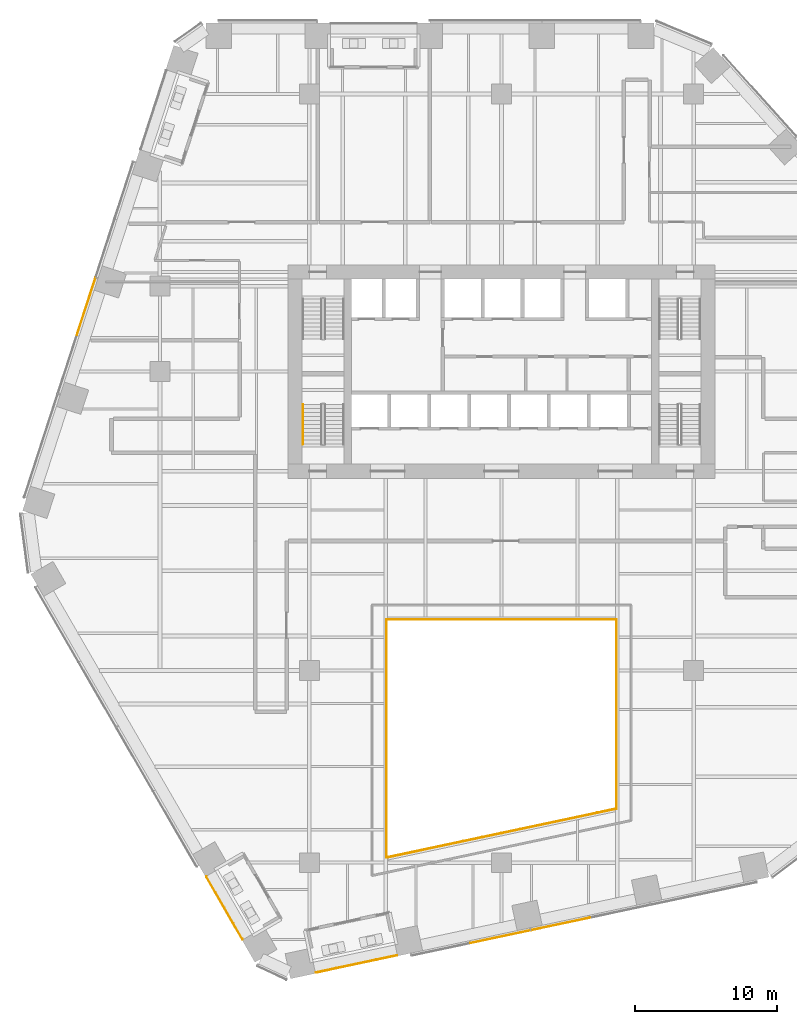
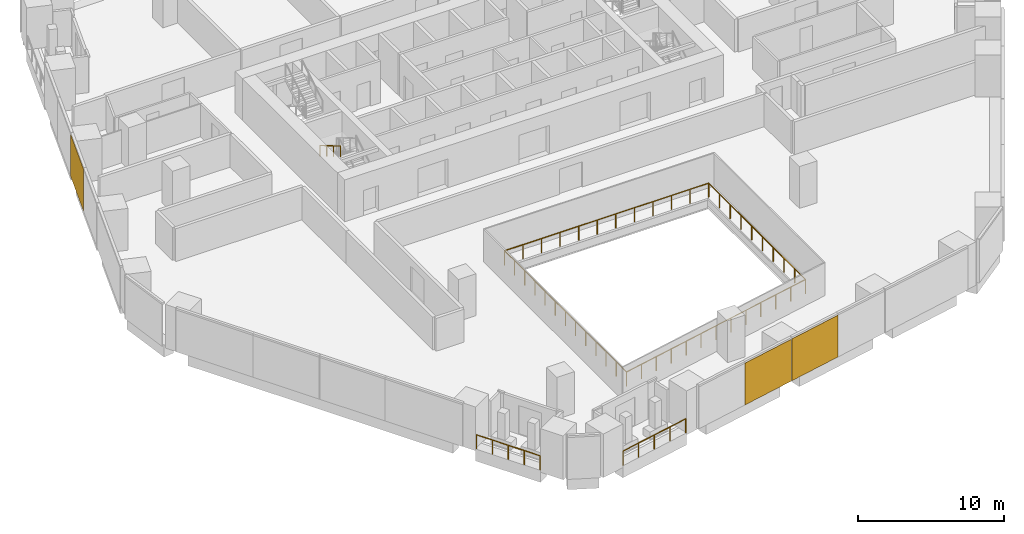
# One storey, part 24 of 28: 7 railings, 3 coverings, 2 elements without a shape of their own.
"""IFC4 building model written with IfcOpenShell, lengths in metres."""

from ifc_helpers import new_model, si_unit, direction, frame, origin, origin_2d, place, context, subcontext, project, spatial, rectangle, circle, extrude, material, layer, layer_set, type_object, element, aggregate, save


model = new_model("IFC4")

# Units and contexts
model_context = context("Model", 3, precision=1e-05, world=origin(), true_north=direction((0.0, 1.0)))
body_context = subcontext(model_context, "Body", "Model", "MODEL_VIEW")
ifc_project = project(units=[si_unit("LENGTHUNIT", "METRE"), si_unit("AREAUNIT", "SQUARE_METRE"), si_unit("VOLUMEUNIT", "CUBIC_METRE"), si_unit("PLANEANGLEUNIT", "RADIAN"), si_unit("MASSUNIT", "GRAM", prefix="KILO")], contexts=[model_context])

# Site, building, storey
site_placement = place(None, origin())
site = spatial("IfcSite", under=ifc_project, at=site_placement, CompositionType="ELEMENT")
building_placement = place(site_placement, origin())
building = spatial("IfcBuilding", under=site, at=building_placement, Name="Isthmus Gate Tower", CompositionType="ELEMENT")
storey_placement = place(building_placement, frame((0.0, 0.0, 68.85009765625)))
storey = spatial("IfcBuildingStorey", under=building, at=storey_placement, Name="L15", CompositionType="ELEMENT", Elevation=68.85009765625)

# Railings
ifc_material_1 = material(Name="Laminated toughened glass balustrade with steel rail", Category="steel")
railing_type_1 = type_object("IfcRailingType", Name="ATRIUM GUARD GLASS BALUSTRADE 1200", PredefinedType="GUARDRAIL", material=ifc_material_1)
railing_1_placement = place(storey_placement, frame((-8.080078125, -26.642822265625, 0.0)))
element("IfcRailing", 1, at=railing_1_placement, inside=storey, type_object=railing_type_1, Name="L15 atrium guard", PredefinedType="GUARDRAIL", context=body_context, shape_type="SweptSolid", body=[
    extrude(circle(Radius=0.02490234375, at=origin_2d()), frame((0.0, 0.0, 1.1748046875), z_axis=(0.0, 1.0, 0.0), x_axis=(-1.0, 0.0, 0.0)), (0.0, 0.0, 1.0), 16.722900390625),
    extrude(circle(Radius=0.02490234375, at=origin_2d()), origin(), (0.0, 0.0, 1.0), 1.14990234375),
    extrude(circle(Radius=0.02490234375, at=origin_2d()), frame((0.0, 1.3935546875, 0.0)), (0.0, 0.0, 1.0), 1.14990234375),
    extrude(circle(Radius=0.02490234375, at=origin_2d()), frame((0.0, 2.787109375, 0.0)), (0.0, 0.0, 1.0), 1.14990234375),
    extrude(circle(Radius=0.02490234375, at=origin_2d()), frame((0.0, 4.1806640625, 0.0)), (0.0, 0.0, 1.0), 1.14990234375),
    extrude(circle(Radius=0.02490234375, at=origin_2d()), frame((0.0, 5.57421875, 0.0)), (0.0, 0.0, 1.0), 1.14990234375),
    extrude(circle(Radius=0.02490234375, at=origin_2d()), frame((0.0, 6.9677734375, 0.0)), (0.0, 0.0, 1.0), 1.14990234375),
    extrude(circle(Radius=0.02490234375, at=origin_2d()), frame((0.0, 8.361328125, 0.0)), (0.0, 0.0, 1.0), 1.14990234375),
    extrude(circle(Radius=0.02490234375, at=origin_2d()), frame((0.0, 9.755126953125, 0.0)), (0.0, 0.0, 1.0), 1.14990234375),
    extrude(circle(Radius=0.02490234375, at=origin_2d()), frame((0.0, 11.148681640625, 0.0)), (0.0, 0.0, 1.0), 1.14990234375),
    extrude(circle(Radius=0.02490234375, at=origin_2d()), frame((0.0, 12.542236328125, 0.0)), (0.0, 0.0, 1.0), 1.14990234375),
    extrude(circle(Radius=0.02490234375, at=origin_2d()), frame((0.0, 13.935791015625, 0.0)), (0.0, 0.0, 1.0), 1.14990234375),
    extrude(circle(Radius=0.02490234375, at=origin_2d()), frame((0.0, 15.329345703125, 0.0)), (0.0, 0.0, 1.0), 1.14990234375),
    extrude(circle(Radius=0.02490234375, at=origin_2d()), frame((0.0, 16.722900390625, 0.0)), (0.0, 0.0, 1.0), 1.14990234375),
])
railing_2_placement = place(storey_placement, frame((-8.080078125, -9.919921875, 0.0)))
element("IfcRailing", 2, at=railing_2_placement, inside=storey, type_object=railing_type_1, Name="L15 atrium guard", PredefinedType="GUARDRAIL", context=body_context, shape_type="SweptSolid", body=[
    extrude(circle(Radius=0.02490234375, at=origin_2d()), frame((0.0, 0.0, 1.1748046875), z_axis=(1.0, 0.0, 0.0), x_axis=(0.0, 1.0, 0.0)), (0.0, 0.0, 1.0), 16.16015625),
    extrude(circle(Radius=0.02490234375, at=origin_2d()), origin(), (0.0, 0.0, 1.0), 1.14990234375),
    extrude(circle(Radius=0.02490234375, at=origin_2d()), frame((1.468994140625, 0.0, 0.0)), (0.0, 0.0, 1.0), 1.14990234375),
    extrude(circle(Radius=0.02490234375, at=origin_2d()), frame((2.938232421875, 0.0, 0.0)), (0.0, 0.0, 1.0), 1.14990234375),
    extrude(circle(Radius=0.02490234375, at=origin_2d()), frame((4.4072265625, 0.0, 0.0)), (0.0, 0.0, 1.0), 1.14990234375),
    extrude(circle(Radius=0.02490234375, at=origin_2d()), frame((5.87646484375, 0.0, 0.0)), (0.0, 0.0, 1.0), 1.14990234375),
    extrude(circle(Radius=0.02490234375, at=origin_2d()), frame((7.345458984375, 0.0, 0.0)), (0.0, 0.0, 1.0), 1.14990234375),
    extrude(circle(Radius=0.02490234375, at=origin_2d()), frame((8.814697265625, 0.0, 0.0)), (0.0, 0.0, 1.0), 1.14990234375),
    extrude(circle(Radius=0.02490234375, at=origin_2d()), frame((10.28369140625, 0.0, 0.0)), (0.0, 0.0, 1.0), 1.14990234375),
    extrude(circle(Radius=0.02490234375, at=origin_2d()), frame((11.7529296875, 0.0, 0.0)), (0.0, 0.0, 1.0), 1.14990234375),
    extrude(circle(Radius=0.02490234375, at=origin_2d()), frame((13.221923828125, 0.0, 0.0)), (0.0, 0.0, 1.0), 1.14990234375),
    extrude(circle(Radius=0.02490234375, at=origin_2d()), frame((14.691162109375, 0.0, 0.0)), (0.0, 0.0, 1.0), 1.14990234375),
    extrude(circle(Radius=0.02490234375, at=origin_2d()), frame((16.16015625, 0.0, 0.0)), (0.0, 0.0, 1.0), 1.14990234375),
])
railing_3_placement = place(storey_placement, frame((8.080078125, -9.919921875, 0.0)))
element("IfcRailing", 3, at=railing_3_placement, inside=storey, type_object=railing_type_1, Name="L15 atrium guard", PredefinedType="GUARDRAIL", context=body_context, shape_type="SweptSolid", body=[
    extrude(circle(Radius=0.02490234375, at=origin_2d()), frame((0.0, 0.0, 1.1748046875), z_axis=(0.0, -1.0, 0.0), x_axis=(1.0, 0.0, 0.0)), (0.0, 0.0, 1.0), 13.2880859375),
    extrude(circle(Radius=0.02490234375, at=origin_2d()), origin(), (0.0, 0.0, 1.0), 1.14990234375),
    extrude(circle(Radius=0.02490234375, at=origin_2d()), frame((0.0, -1.4765625, 0.0)), (0.0, 0.0, 1.0), 1.14990234375),
    extrude(circle(Radius=0.02490234375, at=origin_2d()), frame((0.0, -2.952880859375, 0.0)), (0.0, 0.0, 1.0), 1.14990234375),
    extrude(circle(Radius=0.02490234375, at=origin_2d()), frame((0.0, -4.429443359375, 0.0)), (0.0, 0.0, 1.0), 1.14990234375),
    extrude(circle(Radius=0.02490234375, at=origin_2d()), frame((0.0, -5.90576171875, 0.0)), (0.0, 0.0, 1.0), 1.14990234375),
    extrude(circle(Radius=0.02490234375, at=origin_2d()), frame((0.0, -7.38232421875, 0.0)), (0.0, 0.0, 1.0), 1.14990234375),
    extrude(circle(Radius=0.02490234375, at=origin_2d()), frame((0.0, -8.858642578125, 0.0)), (0.0, 0.0, 1.0), 1.14990234375),
    extrude(circle(Radius=0.02490234375, at=origin_2d()), frame((0.0, -10.335205078125, 0.0)), (0.0, 0.0, 1.0), 1.14990234375),
    extrude(circle(Radius=0.02490234375, at=origin_2d()), frame((0.0, -11.8115234375, 0.0)), (0.0, 0.0, 1.0), 1.14990234375),
    extrude(circle(Radius=0.02490234375, at=origin_2d()), frame((0.0, -13.2880859375, 0.0)), (0.0, 0.0, 1.0), 1.14990234375),
])
railing_4_placement = place(storey_placement, frame((8.080078125, -23.2080078125, 0.0)))
element("IfcRailing", 4, at=railing_4_placement, inside=storey, type_object=railing_type_1, Name="L15 atrium guard", PredefinedType="GUARDRAIL", context=body_context, shape_type="SweptSolid", body=[
    extrude(circle(Radius=0.02490234375, at=origin_2d()), frame((0.0, 0.0, 1.1748046875), z_axis=(-0.978149235358, -0.207904000366, 0.0), x_axis=(0.207904000366, -0.978149235358, 0.0)), (0.0, 0.0, 1.0), 16.521240234375),
    extrude(circle(Radius=0.02490234375, at=origin_2d()), origin(), (0.0, 0.0, 1.0), 1.14990234375),
    extrude(circle(Radius=0.02490234375, at=origin_2d()), frame((-1.3466796875, -0.2861328125, 0.0)), (0.0, 0.0, 1.0), 1.14990234375),
    extrude(circle(Radius=0.02490234375, at=origin_2d()), frame((-2.693359375, -0.572509765625, 0.0)), (0.0, 0.0, 1.0), 1.14990234375),
    extrude(circle(Radius=0.02490234375, at=origin_2d()), frame((-4.0400390625, -0.858642578125, 0.0)), (0.0, 0.0, 1.0), 1.14990234375),
    extrude(circle(Radius=0.02490234375, at=origin_2d()), frame((-5.38671875, -1.14501953125, 0.0)), (0.0, 0.0, 1.0), 1.14990234375),
    extrude(circle(Radius=0.02490234375, at=origin_2d()), frame((-6.7333984375, -1.43115234375, 0.0)), (0.0, 0.0, 1.0), 1.14990234375),
    extrude(circle(Radius=0.02490234375, at=origin_2d()), frame((-8.080078125, -1.71728515625, 0.0)), (0.0, 0.0, 1.0), 1.14990234375),
    extrude(circle(Radius=0.02490234375, at=origin_2d()), frame((-9.4267578125, -2.003662109375, 0.0)), (0.0, 0.0, 1.0), 1.14990234375),
    extrude(circle(Radius=0.02490234375, at=origin_2d()), frame((-10.7734375, -2.289794921875, 0.0)), (0.0, 0.0, 1.0), 1.14990234375),
    extrude(circle(Radius=0.02490234375, at=origin_2d()), frame((-12.1201171875, -2.576171875, 0.0)), (0.0, 0.0, 1.0), 1.14990234375),
    extrude(circle(Radius=0.02490234375, at=origin_2d()), frame((-13.466796875, -2.8623046875, 0.0)), (0.0, 0.0, 1.0), 1.14990234375),
    extrude(circle(Radius=0.02490234375, at=origin_2d()), frame((-14.8134765625, -3.148681640625, 0.0)), (0.0, 0.0, 1.0), 1.14990234375),
    extrude(circle(Radius=0.02490234375, at=origin_2d()), frame((-16.16015625, -3.434814453125, 0.0)), (0.0, 0.0, 1.0), 1.14990234375),
])

# Curtain wall, covering
ifc_material_2 = material(Name="Aluminium, pale champagne anodised", Category="aluminium")
ifc_layer_1 = layer(ifc_material_2, 0.199951171875)
ifc_layer_set_1 = layer_set([ifc_layer_1], Name="CW-1 UNITISED CURTAIN WALL 200 DEEP")
curtain_wall_type = type_object("IfcCurtainWallType", Name="CW-1 UNITISED CURTAIN WALL 200 DEEP", PredefinedType="NOTDEFINED", material=ifc_layer_set_1)
curtain_wall_1_placement = place(storey_placement, origin())
curtain_wall_1 = element("IfcCurtainWall", 5, at=curtain_wall_1_placement, inside=storey, type_object=curtain_wall_type, Name="CW-1 NW L15", PredefinedType="NOTDEFINED")
ifc_material_3 = material(Name="Aluminium composite panel, pale champagne anodised", Category="aluminium")
ifc_layer_2 = layer(ifc_material_3, 0.0400390625)
ifc_layer_set_2 = layer_set([ifc_layer_2], Name="CW-1 PALE METAL PANEL 40")
covering_type = type_object("IfcCoveringType", Name="CW-1 PALE METAL PANEL 40", PredefinedType="CLADDING", material=ifc_layer_set_2)
covering_1_placement = place(storey_placement, frame((-29.181640625, 12.06201171875, 0.0), z_axis=(0.0, 0.0, 1.0), x_axis=(-0.309016994375, -0.951056516295, 0.0)))
covering_1 = element("IfcCovering", 6, at=covering_1_placement, type_object=covering_type, Name="CW-1 pale metal panel", PredefinedType="CLADDING", context=body_context, shape_type="SweptSolid", body=[
    extrude(rectangle(XDim=4.234619140625, YDim=0.0400390625, at=origin_2d()), origin(), (0.0, 0.0, 1.0), 3.5),
])
aggregate(curtain_wall_1, [covering_1])

# Curtain wall, coverings
curtain_wall_2_placement = place(storey_placement, origin())
curtain_wall_2 = element("IfcCurtainWall", 7, at=curtain_wall_2_placement, inside=storey, type_object=curtain_wall_type, Name="CW-1 S L15", PredefinedType="NOTDEFINED")
covering_2_placement = place(storey_placement, frame((-0.085205078125, -32.2021484375, 0.0), z_axis=(0.0, 0.0, 1.0), x_axis=(0.978147600734, 0.207911690818, 0.0)))
covering_2 = element("IfcCovering", 8, at=covering_2_placement, type_object=covering_type, Name="CW-1 pale metal panel", PredefinedType="CLADDING", context=body_context, shape_type="SweptSolid", body=[
    extrude(rectangle(XDim=4.294677734375, YDim=0.0400390625, at=origin_2d()), origin(), (0.0, 0.0, 1.0), 3.5),
])
covering_3_placement = place(storey_placement, frame((4.14501953125, -31.302978515625, 0.0), z_axis=(0.0, 0.0, 1.0), x_axis=(0.978147600734, 0.207911690818, 0.0)))
covering_3 = element("IfcCovering", 9, at=covering_3_placement, type_object=covering_type, Name="CW-1 pale metal panel", PredefinedType="CLADDING", context=body_context, shape_type="SweptSolid", body=[
    extrude(rectangle(XDim=4.234619140625, YDim=0.0400390625, at=origin_2d()), origin(), (0.0, 0.0, 1.0), 3.5),
])
aggregate(curtain_wall_2, [covering_2, covering_3])

# Railings
ifc_material_4 = material(Name="Toughened laminated glass with stainless steel posts", Category="steel")
railing_type_2 = type_object("IfcRailingType", Name="GUARD 1200 FRAMELESS GLASS", PredefinedType="GUARDRAIL", material=ifc_material_4)
railing_5_placement = place(storey_placement, frame((-20.733154296875, -27.989013671875, 0.0)))
element("IfcRailing", 10, at=railing_5_placement, inside=storey, type_object=railing_type_2, Name="LOGGIA GUARD", PredefinedType="GUARDRAIL", context=body_context, shape_type="SweptSolid", body=[
    extrude(circle(Radius=0.02490234375, at=origin_2d()), frame((0.0, 0.0, 1.1748046875), z_axis=(0.499986781806, -0.866033035178, 0.0), x_axis=(0.866033035178, 0.499986781806, 0.0)), (0.0, 0.0, 1.0), 5.063720703125),
    extrude(circle(Radius=0.02490234375, at=origin_2d()), origin(), (0.0, 0.0, 1.0), 1.14990234375),
    extrude(circle(Radius=0.02490234375, at=origin_2d()), frame((0.6328125, -1.09619140625, 0.0)), (0.0, 0.0, 1.0), 1.14990234375),
    extrude(circle(Radius=0.02490234375, at=origin_2d()), frame((1.265869140625, -2.192626953125, 0.0)), (0.0, 0.0, 1.0), 1.14990234375),
    extrude(circle(Radius=0.02490234375, at=origin_2d()), frame((1.89892578125, -3.2890625, 0.0)), (0.0, 0.0, 1.0), 1.14990234375),
    extrude(circle(Radius=0.02490234375, at=origin_2d()), frame((2.53173828125, -4.38525390625, 0.0)), (0.0, 0.0, 1.0), 1.14990234375),
])
railing_6_placement = place(storey_placement, frame((-13.0361328125, -34.7197265625, 0.0)))
element("IfcRailing", 11, at=railing_6_placement, inside=storey, type_object=railing_type_2, Name="LOGGIA GUARD", PredefinedType="GUARDRAIL", context=body_context, shape_type="SweptSolid", body=[
    extrude(circle(Radius=0.02490234375, at=origin_2d()), frame((0.0, 0.0, 1.1748046875), z_axis=(0.978149771313, 0.207901478783, 0.0), x_axis=(-0.207901478783, 0.978149771313, 0.0)), (0.0, 0.0, 1.0), 5.809326171875),
    extrude(circle(Radius=0.02490234375, at=origin_2d()), origin(), (0.0, 0.0, 1.0), 1.14990234375),
    extrude(circle(Radius=0.02490234375, at=origin_2d()), frame((1.420654296875, 0.302001953125, 0.0)), (0.0, 0.0, 1.0), 1.14990234375),
    extrude(circle(Radius=0.02490234375, at=origin_2d()), frame((2.84130859375, 0.60400390625, 0.0)), (0.0, 0.0, 1.0), 1.14990234375),
    extrude(circle(Radius=0.02490234375, at=origin_2d()), frame((4.26171875, 0.90576171875, 0.0)), (0.0, 0.0, 1.0), 1.14990234375),
    extrude(circle(Radius=0.02490234375, at=origin_2d()), frame((5.682373046875, 1.207763671875, 0.0)), (0.0, 0.0, 1.0), 1.14990234375),
])
ifc_material_5 = material(Name="Stainless steel handrail", Category="steel")
railing_type_3 = type_object("IfcRailingType", Name="STAIR HANDRAIL 900", PredefinedType="HANDRAIL", material=ifc_material_5)
railing_7_placement = place(storey_placement, frame((-13.949951171875, 5.199951171875, 1.99072265625)))
element("IfcRailing", 12, at=railing_7_placement, inside=storey, type_object=railing_type_3, Name="L15 ST7 stair handrail 2", PredefinedType="HANDRAIL", context=body_context, shape_type="SweptSolid", body=[
    extrude(circle(Radius=0.02392578125, at=origin_2d()), frame((0.0, 0.0, 0.8759765625), z_axis=(0.0, -0.860306154799, 0.50977771628), x_axis=(1.0, 0.0, 0.0)), (0.0, 0.0, 1.0), 3.254638671875),
    extrude(circle(Radius=0.02099609375, at=origin_2d()), origin(), (0.0, 0.0, 1.0), 0.851806640625),
    extrude(circle(Radius=0.02099609375, at=origin_2d()), frame((0.0, -0.933349609375, 0.552978515625)), (0.0, 0.0, 1.0), 0.851806640625),
    extrude(circle(Radius=0.02099609375, at=origin_2d()), frame((0.0, -1.86669921875, 1.106201171875)), (0.0, 0.0, 1.0), 0.851806640625),
    extrude(circle(Radius=0.02099609375, at=origin_2d()), frame((0.0, -2.800048828125, 1.6591796875)), (0.0, 0.0, 1.0), 0.851806640625),
])

save(model, "model.ifc")
